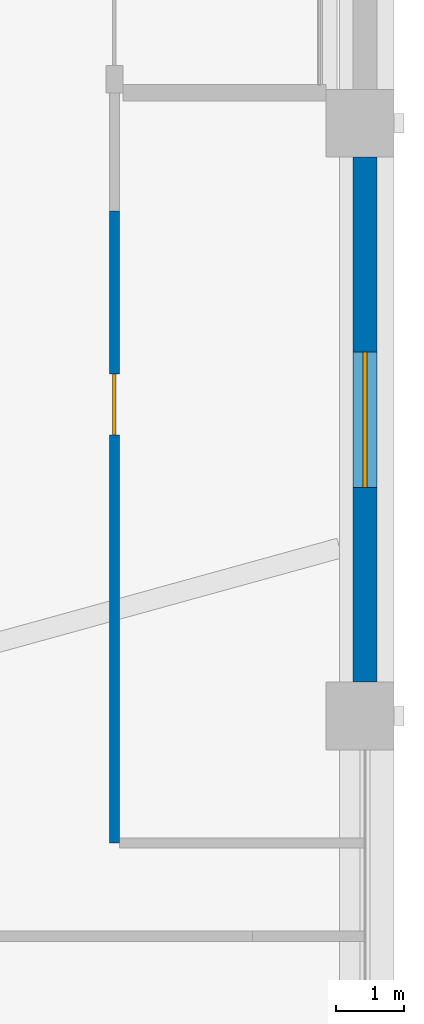
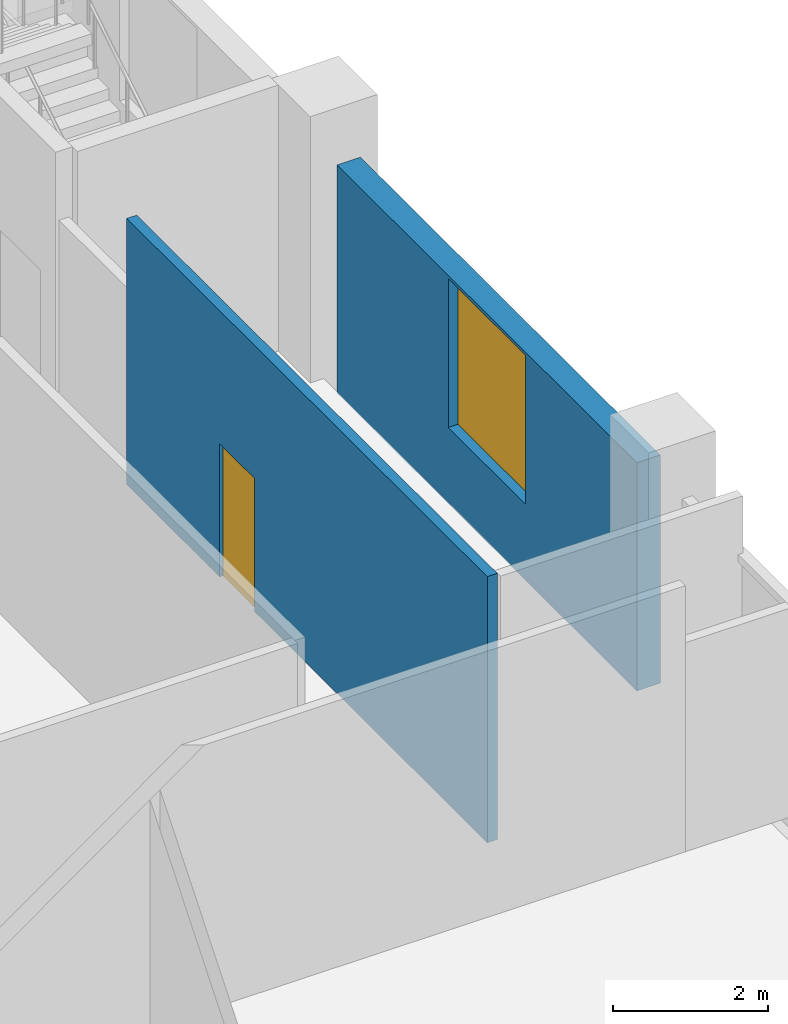
# One storey, part 20 of 33: 2 walls, 1 door, 1 window, 2 openings.
"""IFC4 building model written with IfcOpenShell, lengths in metres."""

from ifc_helpers import new_model, si_unit, direction, frame, frame_2d, origin, place, context, subcontext, project, spatial, rectangle, extrude, material, layer, layer_set, type_object, element, fill, save


model = new_model("IFC4")

# Units and contexts
model_context = context("Model", 3, precision=1e-05, world=origin(), true_north=direction((0.0, 1.0)))
body_context = subcontext(model_context, "Body", "Model", "MODEL_VIEW")
ifc_project = project(units=[si_unit("LENGTHUNIT", "METRE"), si_unit("AREAUNIT", "SQUARE_METRE"), si_unit("VOLUMEUNIT", "CUBIC_METRE"), si_unit("PLANEANGLEUNIT", "RADIAN"), si_unit("MASSUNIT", "GRAM", prefix="KILO")], contexts=[model_context])

# Site, building, storey
site_placement = place(None, origin())
site = spatial("IfcSite", under=ifc_project, at=site_placement, CompositionType="ELEMENT")
building_placement = place(site_placement, origin())
building = spatial("IfcBuilding", under=site, at=building_placement, Name="Isthmus Gate Tower", CompositionType="ELEMENT")
storey_placement = place(building_placement, frame((0.0, 0.0, 22.5)))
storey = spatial("IfcBuildingStorey", under=building, at=storey_placement, Name="L03", CompositionType="ELEMENT", Elevation=22.5)

# Wall, opening, door
ifc_material_1 = material(Name="Fire-rated gypsum board on steel studs", Category="steel")
ifc_layer_1 = layer(ifc_material_1, 0.14990234375)
ifc_layer_set_1 = layer_set([ifc_layer_1], Name="Fire-rated partition 150 EI 60")
wall_type_1 = type_object("IfcWallType", Name="Fire-rated partition 150 EI 60", PredefinedType="PARTITIONING", material=ifc_layer_set_1)
wall_1_placement = place(storey_placement, frame((47.875, 15.62939453125, 0.0), z_axis=(0.0, 0.0, 1.0), x_axis=(0.0, 1.0, 0.0)))
wall_1 = element("IfcWall", 1, at=wall_1_placement, inside=storey, type_object=wall_type_1, Name="Fire-rated partition", PredefinedType="PARTITIONING", context=body_context, shape_type="SweptSolid", body=[
    extrude(rectangle(XDim=9.32275390625, YDim=0.14990234375, at=frame_2d((4.661376953125, 0.0))), origin(), (0.0, 0.0, 1.0), 4.199951171875),
])
opening_1_placement = place(wall_1_placement, frame((6.020751953125, 0.0, 0.0)))
opening_1 = element("IfcOpeningElement", 2, at=opening_1_placement, cuts=wall_1, Name="Opening DP03-05", PredefinedType="OPENING", context=body_context, shape_type="SweptSolid", body=[
    extrude(rectangle(XDim=0.89990234375, YDim=2.10009765625, at=frame_2d((0.449951171875, 1.050048828125))), frame((0.0, 0.0849609375, 0.0), z_axis=(0.0, -1.0, 0.0), x_axis=(1.0, 0.0, 0.0)), (0.0, 0.0, 1.0), 0.169921875),
])
ifc_material_2 = material(Name="Steel fire door with intumescent seals", Category="steel")
door_type = type_object("IfcDoorType", Name="Fire door 900 x 2100", OperationType="SINGLE_SWING_LEFT", PredefinedType="DOOR", material=ifc_material_2)
door_placement = place(opening_1_placement, origin())
door = element("IfcDoor", 3, at=door_placement, inside=storey, type_object=door_type, Name="Door DP03-05", OperationType="SINGLE_SWING_LEFT", OverallHeight=2.10009765625, OverallWidth=0.89990234375, PredefinedType="DOOR", context=body_context, shape_type="SweptSolid", body=[
    extrude(rectangle(XDim=0.89990234375, YDim=2.10009765625, at=frame_2d((0.449951171875, 1.050048828125))), frame((0.0, 0.02490234375, 0.0), z_axis=(0.0, -1.0, 0.0), x_axis=(1.0, 0.0, 0.0)), (0.0, 0.0, 1.0), 0.050048828125),
])
fill(opening_1, door)

# Wall, opening, window
ifc_material_3 = material(Name="Precast concrete C40/50, limestone-faced", Category="masonry")
ifc_layer_2 = layer(ifc_material_3, 0.35009765625)
ifc_layer_set_2 = layer_set([ifc_layer_2], Name="PODIUM CLADDING WALL 350")
wall_type_2 = type_object("IfcWallType", Name="PODIUM CLADDING WALL 350", PredefinedType="SOLIDWALL", material=ifc_layer_set_2)
wall_2_placement = place(storey_placement, frame((51.574951171875, 18.0, -0.300048828125), z_axis=(0.0, 0.0, 1.0), x_axis=(0.0, 1.0, 0.0)))
wall_2 = element("IfcWall", 4, at=wall_2_placement, inside=storey, type_object=wall_type_2, Name="PODIUM WALL", PredefinedType="SOLIDWALL", context=body_context, shape_type="SweptSolid", body=[
    extrude(rectangle(XDim=7.75, YDim=0.35009765625, at=frame_2d((3.875, 0.0))), origin(), (0.0, 0.0, 1.0), 3.60009765625),
])
opening_2_placement = place(wall_2_placement, frame((2.875, 0.0, 1.199951171875)))
opening_2 = element("IfcOpeningElement", 5, at=opening_2_placement, cuts=wall_2, Name="Opening W046", PredefinedType="OPENING", context=body_context, shape_type="SweptSolid", body=[
    extrude(rectangle(XDim=2.0, YDim=2.35009765625, at=frame_2d((1.0, 1.175048828125))), frame((0.0, 0.18505859375, 0.0), z_axis=(0.0, -1.0, 0.0), x_axis=(1.0, 0.0, 0.0)), (0.0, 0.0, 1.0), 0.3701171875),
])
ifc_material_4 = material(Name="Aluminium, pale champagne anodised, laminated glass", Category="aluminium")
window_type = type_object("IfcWindowType", Name="PODIUM SLOT WINDOW 2000 X 2350", PartitioningType="SINGLE_PANEL", PredefinedType="WINDOW", material=ifc_material_4)
window_placement = place(opening_2_placement, origin())
window = element("IfcWindow", 6, at=window_placement, inside=storey, type_object=window_type, Name="SLOT WINDOW", OverallHeight=2.35009765625, OverallWidth=2.0, PartitioningType="SINGLE_PANEL", PredefinedType="WINDOW", context=body_context, shape_type="SweptSolid", body=[
    extrude(rectangle(XDim=2.0, YDim=2.35009765625, at=frame_2d((1.0, 1.175048828125))), frame((0.0, 0.030029296875, 0.0), z_axis=(0.0, -1.0, 0.0), x_axis=(1.0, 0.0, 0.0)), (0.0, 0.0, 1.0), 0.06005859375),
])
fill(opening_2, window)

save(model, "model.ifc")
